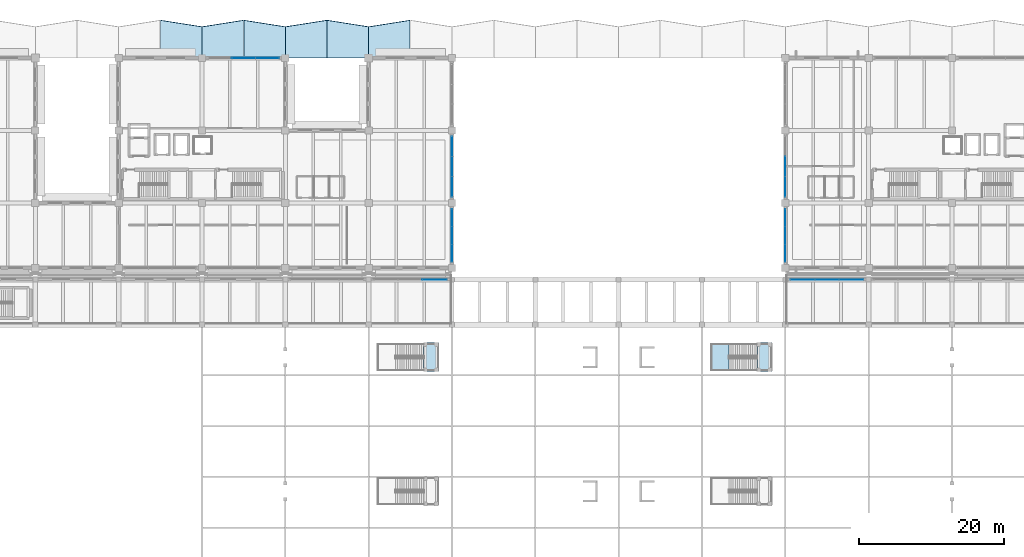
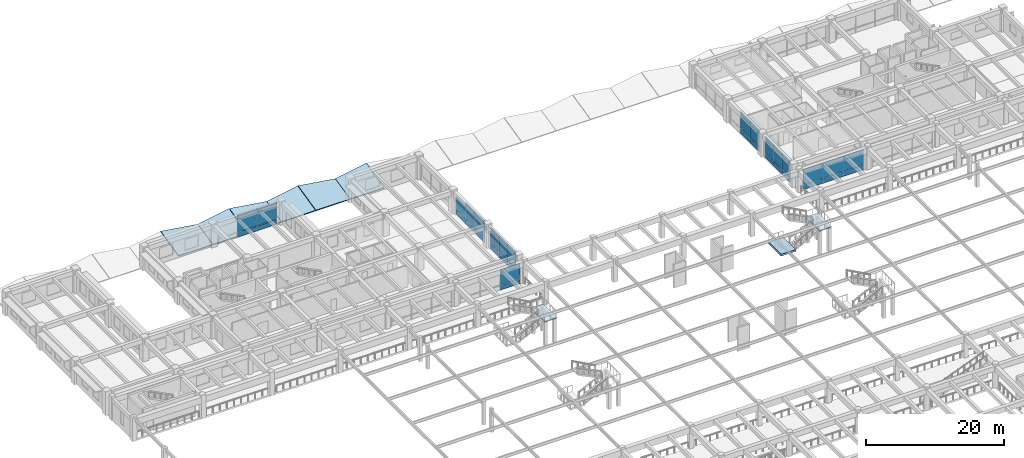
# One storey, part 66 of 98: 50 plates, 9 slabs, 9 elements without a shape of their own.
"""IFC4 building model written with IfcOpenShell, lengths in metres."""

from ifc_helpers import new_model, si_unit, direction, frame, origin, origin_2d, place, context, subcontext, project, spatial, polyline, rectangle, outline, extrude, material, layer, layer_set, type_object, element, aggregate, save


model = new_model("IFC4")

# Units and contexts
model_context = context("Model", 3, precision=1e-05, world=origin(), true_north=direction((0.0, 1.0)))
body_context = subcontext(model_context, "Body", "Model", "MODEL_VIEW")
ifc_project = project(units=[si_unit("LENGTHUNIT", "METRE"), si_unit("AREAUNIT", "SQUARE_METRE"), si_unit("VOLUMEUNIT", "CUBIC_METRE"), si_unit("PLANEANGLEUNIT", "RADIAN"), si_unit("MASSUNIT", "GRAM", prefix="KILO")], contexts=[model_context])

# Site, building, storey
site_placement = place(None, origin())
site = spatial("IfcSite", under=ifc_project, at=site_placement, CompositionType="ELEMENT")
building_placement = place(site_placement, origin())
building = spatial("IfcBuilding", under=site, at=building_placement, Name="Ologun Quay Terminus", CompositionType="ELEMENT")
storey_placement = place(building_placement, frame((0.0, 0.0, 4.199951171875)))
storey = spatial("IfcBuildingStorey", under=building, at=storey_placement, Name="L01", CompositionType="ELEMENT", Elevation=4.199951171875)

# Curtain wall, plates
ifc_material_1 = material(Name="Aluminium 6063-T6", Category="aluminium")
curtain_wall_type_1 = type_object("IfcCurtainWallType", Name="Rain-Garden West Courtyard Curtain Wall L01 8200x3850", PredefinedType="USERDEFINED", material=ifc_material_1)
curtain_wall_1_placement = place(storey_placement, origin())
curtain_wall_1 = element("IfcCurtainWall", 1, at=curtain_wall_1_placement, inside=storey, type_object=curtain_wall_type_1, Name="CW-14 Curtain Wall CW-L01-099", ObjectType="UNITISED CURTAIN WALL", PredefinedType="USERDEFINED")
ifc_material_2 = material(Name="Aluminium 6063-T6", Category="aluminium")
ifc_layer_1 = layer(ifc_material_2, 0.06005859375)
ifc_layer_set_1 = layer_set([ifc_layer_1], Name="Aluminium 6063-T6")
plate_type_1 = type_object("IfcPlateType", Name="Anodised Bronze Spandrel Panel 60", PredefinedType="CURTAIN_PANEL", material=ifc_layer_set_1)
plate_1_placement = place(storey_placement, frame((69.0, 87.8798828125, 0.02978515625), z_axis=(0.0, 0.0, 1.0), x_axis=(0.0, 1.0, 0.0)))
plate_1 = element("IfcPlate", 2, at=plate_1_placement, type_object=plate_type_1, Name="CW-L01-099 Panel B1-1", PredefinedType="CURTAIN_PANEL", context=body_context, shape_type="SweptSolid", body=[
    extrude(rectangle(XDim=2.419921875, YDim=0.06005859375, at=origin_2d()), origin(), (0.0, 0.0, 1.0), 0.840087890625),
])
plate_2_placement = place(storey_placement, frame((69.0, 90.300048828125, 0.02978515625), z_axis=(0.0, 0.0, 1.0), x_axis=(0.0, 1.0, 0.0)))
plate_2 = element("IfcPlate", 3, at=plate_2_placement, type_object=plate_type_1, Name="CW-L01-099 Panel B2-1", PredefinedType="CURTAIN_PANEL", context=body_context, shape_type="SweptSolid", body=[
    extrude(rectangle(XDim=2.419921875, YDim=0.06005859375, at=origin_2d()), origin(), (0.0, 0.0, 1.0), 0.840087890625),
])
plate_3_placement = place(storey_placement, frame((69.0, 92.719970703125, 0.02978515625), z_axis=(0.0, 0.0, 1.0), x_axis=(0.0, 1.0, 0.0)))
plate_3 = element("IfcPlate", 4, at=plate_3_placement, type_object=plate_type_1, Name="CW-L01-099 Panel B3-1", PredefinedType="CURTAIN_PANEL", context=body_context, shape_type="SweptSolid", body=[
    extrude(rectangle(XDim=2.419921875, YDim=0.06005859375, at=origin_2d()), origin(), (0.0, 0.0, 1.0), 0.840087890625),
])

curtain_wall_2_placement = place(storey_placement, origin())
curtain_wall_2 = element("IfcCurtainWall", 5, at=curtain_wall_2_placement, inside=storey, type_object=curtain_wall_type_1, Name="CW-14 Curtain Wall CW-L01-100", ObjectType="UNITISED CURTAIN WALL", PredefinedType="USERDEFINED")
plate_4_placement = place(storey_placement, frame((69.0, 97.046630859375, 0.02978515625), z_axis=(0.0, 0.0, 1.0), x_axis=(0.0, 1.0, 0.0)))
plate_4 = element("IfcPlate", 6, at=plate_4_placement, type_object=plate_type_1, Name="CW-L01-100 Panel B1-1", PredefinedType="CURTAIN_PANEL", context=body_context, shape_type="SweptSolid", body=[
    extrude(rectangle(XDim=2.75341796875, YDim=0.06005859375, at=origin_2d()), origin(), (0.0, 0.0, 1.0), 0.840087890625),
])
plate_5_placement = place(storey_placement, frame((69.0, 99.800048828125, 0.02978515625), z_axis=(0.0, 0.0, 1.0), x_axis=(0.0, 1.0, 0.0)))
plate_5 = element("IfcPlate", 7, at=plate_5_placement, type_object=plate_type_1, Name="CW-L01-100 Panel B2-1", PredefinedType="CURTAIN_PANEL", context=body_context, shape_type="SweptSolid", body=[
    extrude(rectangle(XDim=2.75341796875, YDim=0.06005859375, at=origin_2d()), origin(), (0.0, 0.0, 1.0), 0.840087890625),
])
plate_6_placement = place(storey_placement, frame((69.0, 102.55322265625, 0.02978515625), z_axis=(0.0, 0.0, 1.0), x_axis=(0.0, 1.0, 0.0)))
plate_6 = element("IfcPlate", 8, at=plate_6_placement, type_object=plate_type_1, Name="CW-L01-100 Panel B3-1", PredefinedType="CURTAIN_PANEL", context=body_context, shape_type="SweptSolid", body=[
    extrude(rectangle(XDim=2.75341796875, YDim=0.06005859375, at=origin_2d()), origin(), (0.0, 0.0, 1.0), 0.840087890625),
])

ifc_material_3 = material(Name="Aluminium 6063-T6", Category="aluminium")
curtain_wall_type_2 = type_object("IfcCurtainWallType", Name="Waterfront Pavilion Harbour Curtain Wall L01 10500x3850", PredefinedType="USERDEFINED", material=ifc_material_3)
curtain_wall_3_placement = place(storey_placement, origin())
curtain_wall_3 = element("IfcCurtainWall", 9, at=curtain_wall_3_placement, inside=storey, type_object=curtain_wall_type_2, Name="CW-23 Curtain Wall CW-L01-102", ObjectType="UNITISED CURTAIN WALL", PredefinedType="USERDEFINED")
plate_7_placement = place(storey_placement, frame((40.25, 114.800048828125, 0.02978515625), z_axis=(0.0, 0.0, 1.0), x_axis=(1.0, 0.0, 0.0)))
plate_7 = element("IfcPlate", 10, at=plate_7_placement, type_object=plate_type_1, Name="CW-L01-102 Panel B2-1", PredefinedType="CURTAIN_PANEL", context=body_context, shape_type="SweptSolid", body=[
    extrude(rectangle(XDim=3.25341796875, YDim=0.06005859375, at=origin_2d()), origin(), (0.0, 0.0, 1.0), 0.840087890625),
])
plate_8_placement = place(storey_placement, frame((43.50341796875, 114.800048828125, 0.02978515625), z_axis=(0.0, 0.0, 1.0), x_axis=(1.0, 0.0, 0.0)))
plate_8 = element("IfcPlate", 11, at=plate_8_placement, type_object=plate_type_1, Name="CW-L01-102 Panel B3-1", PredefinedType="CURTAIN_PANEL", context=body_context, shape_type="SweptSolid", body=[
    extrude(rectangle(XDim=3.25341796875, YDim=0.06005859375, at=origin_2d()), origin(), (0.0, 0.0, 1.0), 0.840087890625),
])

# Slabs
ifc_material_4 = material(Name="Concrete C45/55", Category="concrete")
ifc_layer_2 = layer(ifc_material_4, 0.179931640625)
ifc_layer_set_2 = layer_set([ifc_layer_2], Name="Concrete C45/55")
slab_type_1 = type_object("IfcSlabType", Name="Folded Plate Concrete Canopy Slab 180", PredefinedType="ROOF", material=ifc_layer_set_2)
slab_1_placement = place(storey_placement, frame((28.780029296875, 114.800048828125, 0.199951171875), z_axis=(5.421977e-06, -0.224890596449, 0.974384020599), x_axis=(0.999999999985, 1.219352e-06, -5.283088e-06)))
element("IfcSlab", 12, at=slab_1_placement, inside=storey, type_object=slab_type_1, Name="SL-CNP Harbour Colonnade Canopy Bay 3E", PredefinedType="ROOF", context=body_context, shape_type="SweptSolid", body=[
    extrude(outline(polyline([(0.0, 0.0), (5.719970703040922, -1.2112509107190553e-21), (5.719970703209078, 4.413087409581979), (-1.6815478267274492e-10, 5.336661969533888), (0.0, 0.0)])), origin(), (0.0, 0.0, -1.0), 0.179931640625),
])
slab_2_placement = place(storey_placement, frame((34.5, 114.800048828125, 0.199951171875), z_axis=(-5.421977e-06, -0.224890596449, 0.974384020599), x_axis=(0.999999999985, -1.219352e-06, 5.283088e-06)))
element("IfcSlab", 13, at=slab_2_placement, inside=storey, type_object=slab_type_1, Name="SL-CNP Harbour Colonnade Canopy Bay 4W", PredefinedType="ROOF", context=body_context, shape_type="SweptSolid", body=[
    extrude(outline(polyline([(0.0, 0.0), (5.719970703040922, 1.2112509107190553e-21), (5.719970703209077, 5.336661969533888), (-1.6815478267274492e-10, 4.413087409581979), (0.0, 0.0)])), origin(), (0.0, 0.0, -1.0), 0.179931640625),
])
slab_3_placement = place(storey_placement, frame((40.280029296875, 114.800048828125, 0.199951171875), z_axis=(5.421977e-06, -0.224890596449, 0.974384020599), x_axis=(0.999999999985, 1.219352e-06, -5.283088e-06)))
element("IfcSlab", 14, at=slab_3_placement, inside=storey, type_object=slab_type_1, Name="SL-CNP Harbour Colonnade Canopy Bay 4E", PredefinedType="ROOF", context=body_context, shape_type="SweptSolid", body=[
    extrude(outline(polyline([(0.0, 0.0), (5.719970703040922, -1.2112509107190553e-21), (5.719970703209078, 4.413087409581979), (-1.6815478267274492e-10, 5.336661969533888), (0.0, 0.0)])), origin(), (0.0, 0.0, -1.0), 0.179931640625),
])
slab_4_placement = place(storey_placement, frame((46.0, 114.800048828125, 0.199951171875), z_axis=(-5.421977e-06, -0.224890596449, 0.974384020599), x_axis=(0.999999999985, -1.219352e-06, 5.283088e-06)))
element("IfcSlab", 15, at=slab_4_placement, inside=storey, type_object=slab_type_1, Name="SL-CNP Harbour Colonnade Canopy Bay 5W", PredefinedType="ROOF", context=body_context, shape_type="SweptSolid", body=[
    extrude(outline(polyline([(0.0, 0.0), (5.719970703040922, 1.2112509107190553e-21), (5.719970703209077, 5.336661969533888), (-1.6815478267274492e-10, 4.413087409581979), (0.0, 0.0)])), origin(), (0.0, 0.0, -1.0), 0.179931640625),
])
slab_5_placement = place(storey_placement, frame((51.780029296875, 114.800048828125, 0.199951171875), z_axis=(5.421977e-06, -0.224890596449, 0.974384020599), x_axis=(0.999999999985, 1.219352e-06, -5.283088e-06)))
element("IfcSlab", 16, at=slab_5_placement, inside=storey, type_object=slab_type_1, Name="SL-CNP Harbour Colonnade Canopy Bay 5E", PredefinedType="ROOF", context=body_context, shape_type="SweptSolid", body=[
    extrude(outline(polyline([(0.0, 0.0), (5.719970703040922, -1.2112509107190553e-21), (5.719970703209078, 4.413087409581979), (-1.6815478267274492e-10, 5.336661969533888), (0.0, 0.0)])), origin(), (0.0, 0.0, -1.0), 0.179931640625),
])
slab_6_placement = place(storey_placement, frame((57.5, 114.800048828125, 0.199951171875), z_axis=(-5.421977e-06, -0.224890596449, 0.974384020599), x_axis=(0.999999999985, -1.219352e-06, 5.283088e-06)))
element("IfcSlab", 17, at=slab_6_placement, inside=storey, type_object=slab_type_1, Name="SL-CNP Harbour Colonnade Canopy Bay 6W", PredefinedType="ROOF", context=body_context, shape_type="SweptSolid", body=[
    extrude(outline(polyline([(0.0, 0.0), (5.719970703040922, 1.2112509107190553e-21), (5.719970703209077, 5.336661969533888), (-1.6815478267274492e-10, 4.413087409581979), (0.0, 0.0)])), origin(), (0.0, 0.0, -1.0), 0.179931640625),
])

# Plate
ifc_material_5 = material(Name="Glass", Category="glass")
ifc_layer_3 = layer(ifc_material_5, 0.035888671875)
ifc_layer_set_3 = layer_set([ifc_layer_3], Name="Glass")
plate_type_2 = type_object("IfcPlateType", Name="High-Selectivity Harbour Glazed Panel 36", PredefinedType="CURTAIN_PANEL", material=ifc_layer_set_3)
plate_9_placement = place(storey_placement, frame((69.0, 87.8798828125, 0.929931640625), z_axis=(0.0, 0.0, 1.0), x_axis=(0.0, 1.0, 0.0)))
plate_9 = element("IfcPlate", 18, at=plate_9_placement, type_object=plate_type_2, Name="CW-L01-099 Panel B1-2", PredefinedType="CURTAIN_PANEL", context=body_context, shape_type="SweptSolid", body=[
    extrude(rectangle(XDim=2.419921875, YDim=0.035888671875, at=origin_2d()), origin(), (0.0, 0.0, 1.0), 2.27001953125),
])

plate_10_placement = place(storey_placement, frame((69.0, 87.8798828125, 3.26025390625), z_axis=(0.0, 0.0, 1.0), x_axis=(0.0, 1.0, 0.0)))
plate_10 = element("IfcPlate", 19, at=plate_10_placement, type_object=plate_type_2, Name="CW-L01-099 Panel B1-3", PredefinedType="CURTAIN_PANEL", context=body_context, shape_type="SweptSolid", body=[
    extrude(rectangle(XDim=2.419921875, YDim=0.035888671875, at=origin_2d()), origin(), (0.0, 0.0, 1.0), 0.639892578125),
])

plate_11_placement = place(storey_placement, frame((69.0, 90.300048828125, 0.929931640625), z_axis=(0.0, 0.0, 1.0), x_axis=(0.0, 1.0, 0.0)))
plate_11 = element("IfcPlate", 20, at=plate_11_placement, type_object=plate_type_2, Name="CW-L01-099 Panel B2-2", PredefinedType="CURTAIN_PANEL", context=body_context, shape_type="SweptSolid", body=[
    extrude(rectangle(XDim=2.419921875, YDim=0.035888671875, at=origin_2d()), origin(), (0.0, 0.0, 1.0), 2.27001953125),
])

plate_12_placement = place(storey_placement, frame((69.0, 90.300048828125, 3.26025390625), z_axis=(0.0, 0.0, 1.0), x_axis=(0.0, 1.0, 0.0)))
plate_12 = element("IfcPlate", 21, at=plate_12_placement, type_object=plate_type_2, Name="CW-L01-099 Panel B2-3", PredefinedType="CURTAIN_PANEL", context=body_context, shape_type="SweptSolid", body=[
    extrude(rectangle(XDim=2.419921875, YDim=0.035888671875, at=origin_2d()), origin(), (0.0, 0.0, 1.0), 0.639892578125),
])

plate_13_placement = place(storey_placement, frame((69.0, 92.719970703125, 0.929931640625), z_axis=(0.0, 0.0, 1.0), x_axis=(0.0, 1.0, 0.0)))
plate_13 = element("IfcPlate", 22, at=plate_13_placement, type_object=plate_type_2, Name="CW-L01-099 Panel B3-2", PredefinedType="CURTAIN_PANEL", context=body_context, shape_type="SweptSolid", body=[
    extrude(rectangle(XDim=2.419921875, YDim=0.035888671875, at=origin_2d()), origin(), (0.0, 0.0, 1.0), 2.27001953125),
])

plate_14_placement = place(storey_placement, frame((69.0, 92.719970703125, 3.26025390625), z_axis=(0.0, 0.0, 1.0), x_axis=(0.0, 1.0, 0.0)))
plate_14 = element("IfcPlate", 23, at=plate_14_placement, type_object=plate_type_2, Name="CW-L01-099 Panel B3-3", PredefinedType="CURTAIN_PANEL", context=body_context, shape_type="SweptSolid", body=[
    extrude(rectangle(XDim=2.419921875, YDim=0.035888671875, at=origin_2d()), origin(), (0.0, 0.0, 1.0), 0.639892578125),
])

aggregate(curtain_wall_1, [plate_1, plate_9, plate_10, plate_2, plate_11, plate_12, plate_3, plate_13, plate_14])

plate_15_placement = place(storey_placement, frame((69.0, 97.046630859375, 0.929931640625), z_axis=(0.0, 0.0, 1.0), x_axis=(0.0, 1.0, 0.0)))
plate_15 = element("IfcPlate", 24, at=plate_15_placement, type_object=plate_type_2, Name="CW-L01-100 Panel B1-2", PredefinedType="CURTAIN_PANEL", context=body_context, shape_type="SweptSolid", body=[
    extrude(rectangle(XDim=2.75341796875, YDim=0.035888671875, at=origin_2d()), origin(), (0.0, 0.0, 1.0), 2.27001953125),
])

plate_16_placement = place(storey_placement, frame((69.0, 97.046630859375, 3.26025390625), z_axis=(0.0, 0.0, 1.0), x_axis=(0.0, 1.0, 0.0)))
plate_16 = element("IfcPlate", 25, at=plate_16_placement, type_object=plate_type_2, Name="CW-L01-100 Panel B1-3", PredefinedType="CURTAIN_PANEL", context=body_context, shape_type="SweptSolid", body=[
    extrude(rectangle(XDim=2.75341796875, YDim=0.035888671875, at=origin_2d()), origin(), (0.0, 0.0, 1.0), 0.639892578125),
])

plate_17_placement = place(storey_placement, frame((69.0, 99.800048828125, 0.929931640625), z_axis=(0.0, 0.0, 1.0), x_axis=(0.0, 1.0, 0.0)))
plate_17 = element("IfcPlate", 26, at=plate_17_placement, type_object=plate_type_2, Name="CW-L01-100 Panel B2-2", PredefinedType="CURTAIN_PANEL", context=body_context, shape_type="SweptSolid", body=[
    extrude(rectangle(XDim=2.75341796875, YDim=0.035888671875, at=origin_2d()), origin(), (0.0, 0.0, 1.0), 2.27001953125),
])

plate_18_placement = place(storey_placement, frame((69.0, 99.800048828125, 3.26025390625), z_axis=(0.0, 0.0, 1.0), x_axis=(0.0, 1.0, 0.0)))
plate_18 = element("IfcPlate", 27, at=plate_18_placement, type_object=plate_type_2, Name="CW-L01-100 Panel B2-3", PredefinedType="CURTAIN_PANEL", context=body_context, shape_type="SweptSolid", body=[
    extrude(rectangle(XDim=2.75341796875, YDim=0.035888671875, at=origin_2d()), origin(), (0.0, 0.0, 1.0), 0.639892578125),
])

plate_19_placement = place(storey_placement, frame((69.0, 102.55322265625, 0.929931640625), z_axis=(0.0, 0.0, 1.0), x_axis=(0.0, 1.0, 0.0)))
plate_19 = element("IfcPlate", 28, at=plate_19_placement, type_object=plate_type_2, Name="CW-L01-100 Panel B3-2", PredefinedType="CURTAIN_PANEL", context=body_context, shape_type="SweptSolid", body=[
    extrude(rectangle(XDim=2.75341796875, YDim=0.035888671875, at=origin_2d()), origin(), (0.0, 0.0, 1.0), 2.27001953125),
])

aggregate(curtain_wall_2, [plate_4, plate_15, plate_16, plate_5, plate_17, plate_18, plate_6, plate_19])

plate_20_placement = place(storey_placement, frame((40.25, 114.800048828125, 0.929931640625), z_axis=(0.0, 0.0, 1.0), x_axis=(1.0, 0.0, 0.0)))
plate_20 = element("IfcPlate", 29, at=plate_20_placement, type_object=plate_type_2, Name="CW-L01-102 Panel B2-2", PredefinedType="CURTAIN_PANEL", context=body_context, shape_type="SweptSolid", body=[
    extrude(rectangle(XDim=3.25341796875, YDim=0.035888671875, at=origin_2d()), origin(), (0.0, 0.0, 1.0), 2.27001953125),
])

plate_21_placement = place(storey_placement, frame((40.25, 114.800048828125, 3.26025390625), z_axis=(0.0, 0.0, 1.0), x_axis=(1.0, 0.0, 0.0)))
plate_21 = element("IfcPlate", 30, at=plate_21_placement, type_object=plate_type_2, Name="CW-L01-102 Panel B2-3", PredefinedType="CURTAIN_PANEL", context=body_context, shape_type="SweptSolid", body=[
    extrude(rectangle(XDim=3.25341796875, YDim=0.035888671875, at=origin_2d()), origin(), (0.0, 0.0, 1.0), 0.639892578125),
])

plate_22_placement = place(storey_placement, frame((43.50341796875, 114.800048828125, 0.929931640625), z_axis=(0.0, 0.0, 1.0), x_axis=(1.0, 0.0, 0.0)))
plate_22 = element("IfcPlate", 31, at=plate_22_placement, type_object=plate_type_2, Name="CW-L01-102 Panel B3-2", PredefinedType="CURTAIN_PANEL", context=body_context, shape_type="SweptSolid", body=[
    extrude(rectangle(XDim=3.25341796875, YDim=0.035888671875, at=origin_2d()), origin(), (0.0, 0.0, 1.0), 2.27001953125),
])

plate_23_placement = place(storey_placement, frame((43.50341796875, 114.800048828125, 3.26025390625), z_axis=(0.0, 0.0, 1.0), x_axis=(1.0, 0.0, 0.0)))
plate_23 = element("IfcPlate", 32, at=plate_23_placement, type_object=plate_type_2, Name="CW-L01-102 Panel B3-3", PredefinedType="CURTAIN_PANEL", context=body_context, shape_type="SweptSolid", body=[
    extrude(rectangle(XDim=3.25341796875, YDim=0.035888671875, at=origin_2d()), origin(), (0.0, 0.0, 1.0), 0.639892578125),
])

aggregate(curtain_wall_3, [plate_7, plate_20, plate_21, plate_8, plate_22, plate_23])

# Curtain wall, plates
ifc_material_6 = material(Name="Aluminium 6063-T6", Category="aluminium")
curtain_wall_type_3 = type_object("IfcCurtainWallType", Name="Rain-Garden East Courtyard Curtain Wall L01 9200x3850", PredefinedType="USERDEFINED", material=ifc_material_6)
curtain_wall_4_placement = place(storey_placement, origin())
curtain_wall_4 = element("IfcCurtainWall", 33, at=curtain_wall_4_placement, inside=storey, type_object=curtain_wall_type_3, Name="CW-18 Curtain Wall CW-L01-128", ObjectType="UNITISED CURTAIN WALL", PredefinedType="USERDEFINED")
plate_24_placement = place(storey_placement, frame((115.0, 87.8798828125, 0.929931640625), z_axis=(0.0, 0.0, 1.0), x_axis=(0.0, 1.0, 0.0)))
plate_24 = element("IfcPlate", 34, at=plate_24_placement, type_object=plate_type_2, Name="CW-L01-128 Panel B1-2", PredefinedType="CURTAIN_PANEL", context=body_context, shape_type="SweptSolid", body=[
    extrude(rectangle(XDim=2.419921875, YDim=0.035888671875, at=origin_2d()), origin(), (0.0, 0.0, 1.0), 2.27001953125),
])
plate_25_placement = place(storey_placement, frame((115.0, 87.8798828125, 3.26025390625), z_axis=(0.0, 0.0, 1.0), x_axis=(0.0, 1.0, 0.0)))
plate_25 = element("IfcPlate", 35, at=plate_25_placement, type_object=plate_type_2, Name="CW-L01-128 Panel B1-3", PredefinedType="CURTAIN_PANEL", context=body_context, shape_type="SweptSolid", body=[
    extrude(rectangle(XDim=2.419921875, YDim=0.035888671875, at=origin_2d()), origin(), (0.0, 0.0, 1.0), 0.639892578125),
])
plate_26_placement = place(storey_placement, frame((115.0, 90.300048828125, 0.929931640625), z_axis=(0.0, 0.0, 1.0), x_axis=(0.0, 1.0, 0.0)))
plate_26 = element("IfcPlate", 36, at=plate_26_placement, type_object=plate_type_2, Name="CW-L01-128 Panel B2-2", PredefinedType="CURTAIN_PANEL", context=body_context, shape_type="SweptSolid", body=[
    extrude(rectangle(XDim=2.419921875, YDim=0.035888671875, at=origin_2d()), origin(), (0.0, 0.0, 1.0), 2.27001953125),
])
plate_27_placement = place(storey_placement, frame((115.0, 90.300048828125, 3.26025390625), z_axis=(0.0, 0.0, 1.0), x_axis=(0.0, 1.0, 0.0)))
plate_27 = element("IfcPlate", 37, at=plate_27_placement, type_object=plate_type_2, Name="CW-L01-128 Panel B2-3", PredefinedType="CURTAIN_PANEL", context=body_context, shape_type="SweptSolid", body=[
    extrude(rectangle(XDim=2.419921875, YDim=0.035888671875, at=origin_2d()), origin(), (0.0, 0.0, 1.0), 0.639892578125),
])
plate_28_placement = place(storey_placement, frame((115.0, 92.719970703125, 0.929931640625), z_axis=(0.0, 0.0, 1.0), x_axis=(0.0, 1.0, 0.0)))
plate_28 = element("IfcPlate", 38, at=plate_28_placement, type_object=plate_type_2, Name="CW-L01-128 Panel B3-2", PredefinedType="CURTAIN_PANEL", context=body_context, shape_type="SweptSolid", body=[
    extrude(rectangle(XDim=2.419921875, YDim=0.035888671875, at=origin_2d()), origin(), (0.0, 0.0, 1.0), 2.27001953125),
])
plate_29_placement = place(storey_placement, frame((115.0, 92.719970703125, 3.26025390625), z_axis=(0.0, 0.0, 1.0), x_axis=(0.0, 1.0, 0.0)))
plate_29 = element("IfcPlate", 39, at=plate_29_placement, type_object=plate_type_2, Name="CW-L01-128 Panel B3-3", PredefinedType="CURTAIN_PANEL", context=body_context, shape_type="SweptSolid", body=[
    extrude(rectangle(XDim=2.419921875, YDim=0.035888671875, at=origin_2d()), origin(), (0.0, 0.0, 1.0), 0.639892578125),
])

curtain_wall_5_placement = place(storey_placement, origin())
curtain_wall_5 = element("IfcCurtainWall", 40, at=curtain_wall_5_placement, inside=storey, type_object=curtain_wall_type_3, Name="CW-18 Curtain Wall CW-L01-129", ObjectType="UNITISED CURTAIN WALL", PredefinedType="USERDEFINED")
plate_30_placement = place(storey_placement, frame((115.0, 97.046630859375, 0.929931640625), z_axis=(0.0, 0.0, 1.0), x_axis=(0.0, 1.0, 0.0)))
plate_30 = element("IfcPlate", 41, at=plate_30_placement, type_object=plate_type_2, Name="CW-L01-129 Panel B1-2", PredefinedType="CURTAIN_PANEL", context=body_context, shape_type="SweptSolid", body=[
    extrude(rectangle(XDim=2.75341796875, YDim=0.035888671875, at=origin_2d()), origin(), (0.0, 0.0, 1.0), 2.27001953125),
])
plate_31_placement = place(storey_placement, frame((115.0, 97.046630859375, 3.26025390625), z_axis=(0.0, 0.0, 1.0), x_axis=(0.0, 1.0, 0.0)))
plate_31 = element("IfcPlate", 42, at=plate_31_placement, type_object=plate_type_2, Name="CW-L01-129 Panel B1-3", PredefinedType="CURTAIN_PANEL", context=body_context, shape_type="SweptSolid", body=[
    extrude(rectangle(XDim=2.75341796875, YDim=0.035888671875, at=origin_2d()), origin(), (0.0, 0.0, 1.0), 0.639892578125),
])
plate_32_placement = place(storey_placement, frame((115.0, 99.800048828125, 0.929931640625), z_axis=(0.0, 0.0, 1.0), x_axis=(0.0, 1.0, 0.0)))
plate_32 = element("IfcPlate", 43, at=plate_32_placement, type_object=plate_type_2, Name="CW-L01-129 Panel B2-2", PredefinedType="CURTAIN_PANEL", context=body_context, shape_type="SweptSolid", body=[
    extrude(rectangle(XDim=2.75341796875, YDim=0.035888671875, at=origin_2d()), origin(), (0.0, 0.0, 1.0), 2.27001953125),
])
plate_33_placement = place(storey_placement, frame((115.0, 99.800048828125, 3.26025390625), z_axis=(0.0, 0.0, 1.0), x_axis=(0.0, 1.0, 0.0)))
plate_33 = element("IfcPlate", 44, at=plate_33_placement, type_object=plate_type_2, Name="CW-L01-129 Panel B2-3", PredefinedType="CURTAIN_PANEL", context=body_context, shape_type="SweptSolid", body=[
    extrude(rectangle(XDim=2.75341796875, YDim=0.035888671875, at=origin_2d()), origin(), (0.0, 0.0, 1.0), 0.639892578125),
])

# Curtain wall, plate
ifc_material_7 = material(Name="Aluminium 6063-T6", Category="aluminium")
curtain_wall_type_4 = type_object("IfcCurtainWallType", Name="Forecourt Mezzanine Curtain Wall 10700x3850", PredefinedType="USERDEFINED", material=ifc_material_7)
curtain_wall_6_placement = place(storey_placement, origin())
curtain_wall_6 = element("IfcCurtainWall", 45, at=curtain_wall_6_placement, inside=storey, type_object=curtain_wall_type_4, Name="CW-04 Curtain Wall CW-L01-089", ObjectType="UNITISED CURTAIN WALL", PredefinedType="USERDEFINED")
ifc_material_8 = material(Name="Aluminium 6063-T6", Category="aluminium")
ifc_layer_4 = layer(ifc_material_8, 0.050048828125)
ifc_layer_set_4 = layer_set([ifc_layer_4], Name="Aluminium 6063-T6")
plate_type_3 = type_object("IfcPlateType", Name="Insulated Aluminium Shadow-Box Spandrel 50", PredefinedType="CURTAIN_PANEL", material=ifc_layer_set_4)
plate_34_placement = place(storey_placement, frame((66.603271484375, 84.199951171875, 0.02978515625), z_axis=(0.0, 0.0, 1.0), x_axis=(1.0, 0.0, 0.0)))
plate_34 = element("IfcPlate", 46, at=plate_34_placement, type_object=plate_type_3, Name="CW-L01-089 Panel B3-1", PredefinedType="CURTAIN_PANEL", context=body_context, shape_type="SweptSolid", body=[
    extrude(rectangle(XDim=3.353271484375, YDim=0.050048828125, at=origin_2d()), origin(), (0.0, 0.0, 1.0), 0.840087890625),
])

# Curtain wall, plates
curtain_wall_7_placement = place(storey_placement, origin())
curtain_wall_7 = element("IfcCurtainWall", 47, at=curtain_wall_7_placement, inside=storey, type_object=curtain_wall_type_4, Name="CW-04 Curtain Wall CW-L01-090", ObjectType="UNITISED CURTAIN WALL", PredefinedType="USERDEFINED")
plate_35_placement = place(storey_placement, frame((117.396728515625, 84.199951171875, 0.02978515625), z_axis=(0.0, 0.0, 1.0), x_axis=(1.0, 0.0, 0.0)))
plate_35 = element("IfcPlate", 48, at=plate_35_placement, type_object=plate_type_3, Name="CW-L01-090 Panel B1-1", PredefinedType="CURTAIN_PANEL", context=body_context, shape_type="SweptSolid", body=[
    extrude(rectangle(XDim=3.353271484375, YDim=0.050048828125, at=origin_2d()), origin(), (0.0, 0.0, 1.0), 0.840087890625),
])
plate_36_placement = place(storey_placement, frame((120.75, 84.199951171875, 0.02978515625), z_axis=(0.0, 0.0, 1.0), x_axis=(1.0, 0.0, 0.0)))
plate_36 = element("IfcPlate", 49, at=plate_36_placement, type_object=plate_type_3, Name="CW-L01-090 Panel B2-1", PredefinedType="CURTAIN_PANEL", context=body_context, shape_type="SweptSolid", body=[
    extrude(rectangle(XDim=3.353271484375, YDim=0.050048828125, at=origin_2d()), origin(), (0.0, 0.0, 1.0), 0.840087890625),
])
plate_37_placement = place(storey_placement, frame((124.103271484375, 84.199951171875, 0.02978515625), z_axis=(0.0, 0.0, 1.0), x_axis=(1.0, 0.0, 0.0)))
plate_37 = element("IfcPlate", 50, at=plate_37_placement, type_object=plate_type_3, Name="CW-L01-090 Panel B3-1", PredefinedType="CURTAIN_PANEL", context=body_context, shape_type="SweptSolid", body=[
    extrude(rectangle(XDim=3.353271484375, YDim=0.050048828125, at=origin_2d()), origin(), (0.0, 0.0, 1.0), 0.840087890625),
])

# Plate
plate_38_placement = place(storey_placement, frame((115.0, 87.8798828125, 0.02978515625), z_axis=(0.0, 0.0, 1.0), x_axis=(0.0, 1.0, 0.0)))
plate_38 = element("IfcPlate", 51, at=plate_38_placement, type_object=plate_type_3, Name="CW-L01-128 Panel B1-1", PredefinedType="CURTAIN_PANEL", context=body_context, shape_type="SweptSolid", body=[
    extrude(rectangle(XDim=2.419921875, YDim=0.050048828125, at=origin_2d()), origin(), (0.0, 0.0, 1.0), 0.840087890625),
])

plate_39_placement = place(storey_placement, frame((115.0, 90.300048828125, 0.02978515625), z_axis=(0.0, 0.0, 1.0), x_axis=(0.0, 1.0, 0.0)))
plate_39 = element("IfcPlate", 52, at=plate_39_placement, type_object=plate_type_3, Name="CW-L01-128 Panel B2-1", PredefinedType="CURTAIN_PANEL", context=body_context, shape_type="SweptSolid", body=[
    extrude(rectangle(XDim=2.419921875, YDim=0.050048828125, at=origin_2d()), origin(), (0.0, 0.0, 1.0), 0.840087890625),
])

plate_40_placement = place(storey_placement, frame((115.0, 92.719970703125, 0.02978515625), z_axis=(0.0, 0.0, 1.0), x_axis=(0.0, 1.0, 0.0)))
plate_40 = element("IfcPlate", 53, at=plate_40_placement, type_object=plate_type_3, Name="CW-L01-128 Panel B3-1", PredefinedType="CURTAIN_PANEL", context=body_context, shape_type="SweptSolid", body=[
    extrude(rectangle(XDim=2.419921875, YDim=0.050048828125, at=origin_2d()), origin(), (0.0, 0.0, 1.0), 0.840087890625),
])

aggregate(curtain_wall_4, [plate_38, plate_24, plate_25, plate_39, plate_26, plate_27, plate_40, plate_28, plate_29])

plate_41_placement = place(storey_placement, frame((115.0, 97.046630859375, 0.02978515625), z_axis=(0.0, 0.0, 1.0), x_axis=(0.0, 1.0, 0.0)))
plate_41 = element("IfcPlate", 54, at=plate_41_placement, type_object=plate_type_3, Name="CW-L01-129 Panel B1-1", PredefinedType="CURTAIN_PANEL", context=body_context, shape_type="SweptSolid", body=[
    extrude(rectangle(XDim=2.75341796875, YDim=0.050048828125, at=origin_2d()), origin(), (0.0, 0.0, 1.0), 0.840087890625),
])

plate_42_placement = place(storey_placement, frame((115.0, 99.800048828125, 0.02978515625), z_axis=(0.0, 0.0, 1.0), x_axis=(0.0, 1.0, 0.0)))
plate_42 = element("IfcPlate", 55, at=plate_42_placement, type_object=plate_type_3, Name="CW-L01-129 Panel B2-1", PredefinedType="CURTAIN_PANEL", context=body_context, shape_type="SweptSolid", body=[
    extrude(rectangle(XDim=2.75341796875, YDim=0.050048828125, at=origin_2d()), origin(), (0.0, 0.0, 1.0), 0.840087890625),
])

aggregate(curtain_wall_5, [plate_41, plate_30, plate_31, plate_42, plate_32, plate_33])

# Slab
ifc_material_9 = material(Name="Concrete C40/50", Category="concrete")
ifc_layer_5 = layer(ifc_material_9, 0.300048828125)
ifc_layer_set_5 = layer_set([ifc_layer_5], Name="Concrete C40/50")
slab_type_2 = type_object("IfcSlabType", Name="Passenger Platform Deck Slab 300", PredefinedType="FLOOR", material=ifc_layer_set_5)
slab_7_placement = place(storey_placement, frame((0.0, 0.0, -0.300048828125)))
element("IfcSlab", 56, at=slab_7_placement, inside=storey, type_object=slab_type_2, Name="SL-PLT Platform Transfer Bridge ST-P4", PredefinedType="FLOOR", context=body_context, shape_type="SweptSolid", body=[
    extrude(outline(polyline([(104.75, 71.64990234375), (107.219970703125, 71.64990234375), (107.219970703125, 75.35009765625), (104.75, 75.35009765625), (104.75, 71.64990234375)])), origin(), (0.0, 0.0, 1.0), 0.300048828125),
])

# Stair, slab
ifc_material_10 = material(Name="Concrete C40/50", Category="concrete")
stair_type = type_object("IfcStairType", Name="Platform Concourse Transfer Stair 1700", PredefinedType="HALF_TURN_STAIR", material=ifc_material_10)
stair_1_placement = place(storey_placement, origin())
stair_1 = element("IfcStair", 57, at=stair_1_placement, inside=storey, type_object=stair_type, Name="ST-P3U Stair L01", PredefinedType="HALF_TURN_STAIR")
ifc_material_11 = material(Name="Precast Concrete C40/50", Category="concrete")
ifc_layer_6 = layer(ifc_material_11, 0.179931640625)
ifc_layer_set_6 = layer_set([ifc_layer_6], Name="Precast Concrete C40/50")
slab_type_3 = type_object("IfcSlabType", Name="Precast Stair Half-Landing Slab 180", PredefinedType="LANDING", material=ifc_layer_set_6)
slab_8_placement = place(storey_placement, frame((0.0, 0.0, 1.920166015625)))
slab_8 = element("IfcSlab", 58, at=slab_8_placement, type_object=slab_type_3, Name="ST-P3U Half-Landing L01", PredefinedType="LANDING", context=body_context, shape_type="SweptSolid", body=[
    extrude(outline(polyline([(65.070068359375, 71.5), (67.14990234375, 71.5), (67.14990234375, 75.5), (65.070068359375, 75.5), (65.070068359375, 71.5)])), origin(), (0.0, 0.0, 1.0), 0.179931640625),
])
aggregate(stair_1, [slab_8])

stair_2_placement = place(storey_placement, origin())
stair_2 = element("IfcStair", 59, at=stair_2_placement, inside=storey, type_object=stair_type, Name="ST-P4U Stair L01", PredefinedType="HALF_TURN_STAIR")
slab_9_placement = place(storey_placement, frame((0.0, 0.0, 1.920166015625)))
slab_9 = element("IfcSlab", 60, at=slab_9_placement, type_object=slab_type_3, Name="ST-P4U Half-Landing L01", PredefinedType="LANDING", context=body_context, shape_type="SweptSolid", body=[
    extrude(outline(polyline([(111.070068359375, 71.5), (113.14990234375, 71.5), (113.14990234375, 75.5), (111.070068359375, 75.5), (111.070068359375, 71.5)])), origin(), (0.0, 0.0, 1.0), 0.179931640625),
])
aggregate(stair_2, [slab_9])

# Plate
ifc_material_12 = material(Name="Glass", Category="glass")
ifc_layer_7 = layer(ifc_material_12, 0.028076171875)
ifc_layer_set_7 = layer_set([ifc_layer_7], Name="Glass")
plate_type_4 = type_object("IfcPlateType", Name="Solar-Control Double Glazed Panel 28", PredefinedType="CURTAIN_PANEL", material=ifc_layer_set_7)
plate_43_placement = place(storey_placement, frame((66.603271484375, 84.199951171875, 0.93017578125), z_axis=(0.0, 0.0, 1.0), x_axis=(1.0, 0.0, 0.0)))
plate_43 = element("IfcPlate", 61, at=plate_43_placement, type_object=plate_type_4, Name="CW-L01-089 Panel B3-2", PredefinedType="CURTAIN_PANEL", context=body_context, shape_type="SweptSolid", body=[
    extrude(rectangle(XDim=3.353271484375, YDim=0.028076171875, at=origin_2d()), origin(), (0.0, 0.0, 1.0), 1.989990234375),
])

plate_44_placement = place(storey_placement, frame((66.603271484375, 84.199951171875, 2.97998046875), z_axis=(0.0, 0.0, 1.0), x_axis=(1.0, 0.0, 0.0)))
plate_44 = element("IfcPlate", 62, at=plate_44_placement, type_object=plate_type_4, Name="CW-L01-089 Panel B3-3", PredefinedType="CURTAIN_PANEL", context=body_context, shape_type="SweptSolid", body=[
    extrude(rectangle(XDim=3.353271484375, YDim=0.028076171875, at=origin_2d()), origin(), (0.0, 0.0, 1.0), 0.639892578125),
])

aggregate(curtain_wall_6, [plate_34, plate_43, plate_44])

plate_45_placement = place(storey_placement, frame((117.396728515625, 84.199951171875, 0.93017578125), z_axis=(0.0, 0.0, 1.0), x_axis=(1.0, 0.0, 0.0)))
plate_45 = element("IfcPlate", 63, at=plate_45_placement, type_object=plate_type_4, Name="CW-L01-090 Panel B1-2", PredefinedType="CURTAIN_PANEL", context=body_context, shape_type="SweptSolid", body=[
    extrude(rectangle(XDim=3.353271484375, YDim=0.028076171875, at=origin_2d()), origin(), (0.0, 0.0, 1.0), 1.989990234375),
])

plate_46_placement = place(storey_placement, frame((117.396728515625, 84.199951171875, 2.97998046875), z_axis=(0.0, 0.0, 1.0), x_axis=(1.0, 0.0, 0.0)))
plate_46 = element("IfcPlate", 64, at=plate_46_placement, type_object=plate_type_4, Name="CW-L01-090 Panel B1-3", PredefinedType="CURTAIN_PANEL", context=body_context, shape_type="SweptSolid", body=[
    extrude(rectangle(XDim=3.353271484375, YDim=0.028076171875, at=origin_2d()), origin(), (0.0, 0.0, 1.0), 0.639892578125),
])

plate_47_placement = place(storey_placement, frame((120.75, 84.199951171875, 0.93017578125), z_axis=(0.0, 0.0, 1.0), x_axis=(1.0, 0.0, 0.0)))
plate_47 = element("IfcPlate", 65, at=plate_47_placement, type_object=plate_type_4, Name="CW-L01-090 Panel B2-2", PredefinedType="CURTAIN_PANEL", context=body_context, shape_type="SweptSolid", body=[
    extrude(rectangle(XDim=3.353271484375, YDim=0.028076171875, at=origin_2d()), origin(), (0.0, 0.0, 1.0), 1.989990234375),
])

plate_48_placement = place(storey_placement, frame((120.75, 84.199951171875, 2.97998046875), z_axis=(0.0, 0.0, 1.0), x_axis=(1.0, 0.0, 0.0)))
plate_48 = element("IfcPlate", 66, at=plate_48_placement, type_object=plate_type_4, Name="CW-L01-090 Panel B2-3", PredefinedType="CURTAIN_PANEL", context=body_context, shape_type="SweptSolid", body=[
    extrude(rectangle(XDim=3.353271484375, YDim=0.028076171875, at=origin_2d()), origin(), (0.0, 0.0, 1.0), 0.639892578125),
])

plate_49_placement = place(storey_placement, frame((124.103271484375, 84.199951171875, 0.93017578125), z_axis=(0.0, 0.0, 1.0), x_axis=(1.0, 0.0, 0.0)))
plate_49 = element("IfcPlate", 67, at=plate_49_placement, type_object=plate_type_4, Name="CW-L01-090 Panel B3-2", PredefinedType="CURTAIN_PANEL", context=body_context, shape_type="SweptSolid", body=[
    extrude(rectangle(XDim=3.353271484375, YDim=0.028076171875, at=origin_2d()), origin(), (0.0, 0.0, 1.0), 1.989990234375),
])

plate_50_placement = place(storey_placement, frame((124.103271484375, 84.199951171875, 2.97998046875), z_axis=(0.0, 0.0, 1.0), x_axis=(1.0, 0.0, 0.0)))
plate_50 = element("IfcPlate", 68, at=plate_50_placement, type_object=plate_type_4, Name="CW-L01-090 Panel B3-3", PredefinedType="CURTAIN_PANEL", context=body_context, shape_type="SweptSolid", body=[
    extrude(rectangle(XDim=3.353271484375, YDim=0.028076171875, at=origin_2d()), origin(), (0.0, 0.0, 1.0), 0.639892578125),
])

aggregate(curtain_wall_7, [plate_35, plate_45, plate_46, plate_36, plate_47, plate_48, plate_37, plate_49, plate_50])

save(model, "model.ifc")
